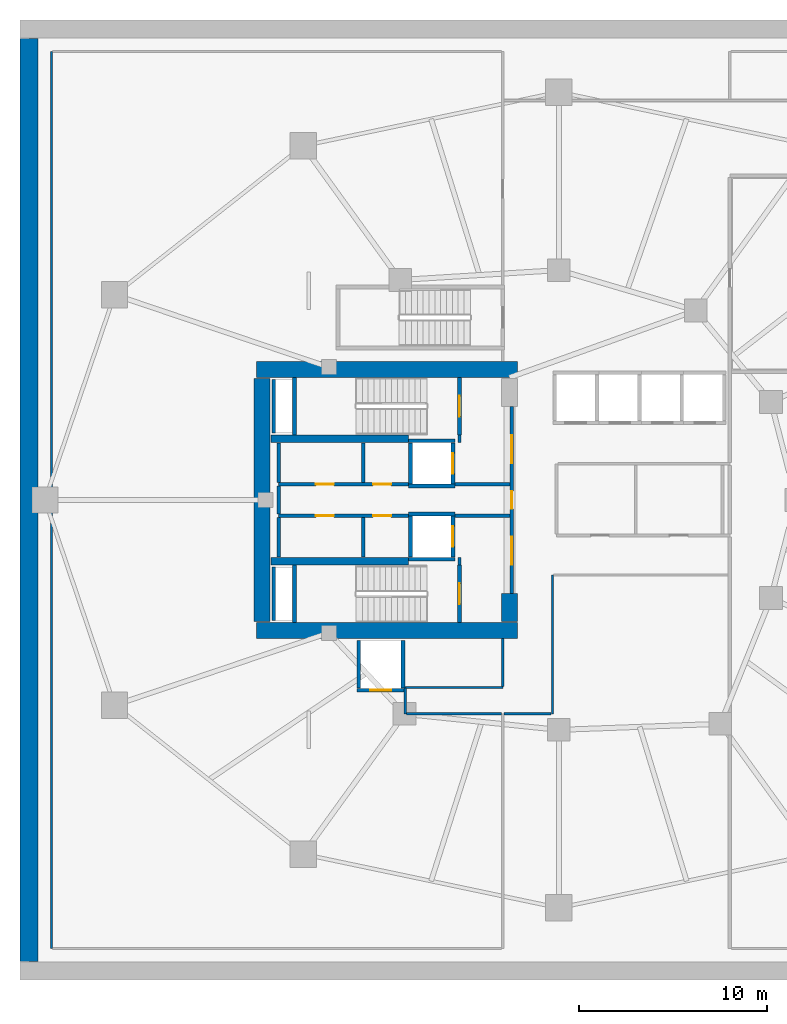
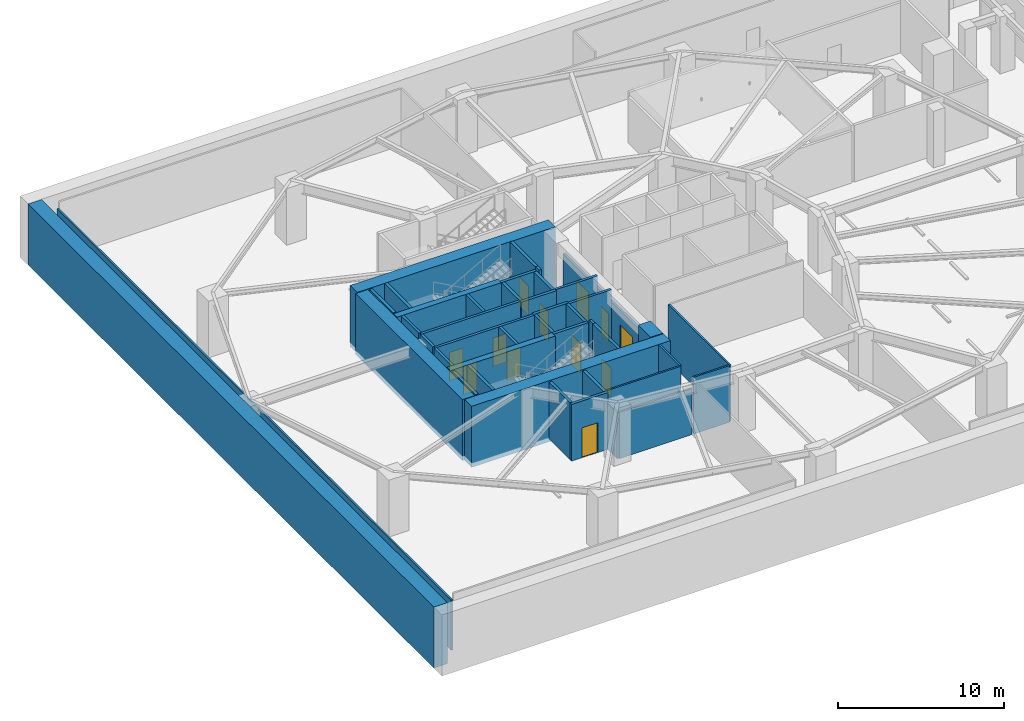
# One storey, part 4 of 16: 43 walls, 12 doors, 12 openings.
"""IFC4 building model written with IfcOpenShell, lengths in metres."""

from ifc_helpers import new_model, si_unit, direction, frame, frame_2d, origin, place, context, subcontext, project, spatial, rectangle, extrude, material, layer, layer_set, type_object, element, fill, save


model = new_model("IFC4")

# Units and contexts
model_context = context("Model", 3, precision=1e-05, world=origin(), true_north=direction((0.0, 1.0)))
body_context = subcontext(model_context, "Body", "Model", "MODEL_VIEW")
ifc_project = project(units=[si_unit("LENGTHUNIT", "METRE"), si_unit("AREAUNIT", "SQUARE_METRE"), si_unit("VOLUMEUNIT", "CUBIC_METRE"), si_unit("PLANEANGLEUNIT", "RADIAN"), si_unit("MASSUNIT", "GRAM", prefix="KILO")], contexts=[model_context])

# Site, building, storey
site_placement = place(None, origin())
site = spatial("IfcSite", under=ifc_project, at=site_placement, CompositionType="ELEMENT")
building_placement = place(site_placement, origin())
building = spatial("IfcBuilding", under=site, at=building_placement, Name="Kolvaren Gate Tower and Convention Centre", CompositionType="ELEMENT")
storey_placement = place(building_placement, frame((0.0, 0.0, -9.0)))
storey = spatial("IfcBuildingStorey", under=building, at=storey_placement, Name="B2", CompositionType="ELEMENT", Elevation=-9.0)

# Walls
ifc_material_1 = material(Name="Autoclaved Aerated Masonry Blockwork Class 4 (4.0 MPa)", Category="masonry")
ifc_layer_1 = layer(ifc_material_1, 0.179931640625)
ifc_layer_set_1 = layer_set([ifc_layer_1], Name="Autoclaved Aerated Masonry Blockwork Class 4 (4.0 MPa)")
wall_type_1 = type_object("IfcWallType", Name="ARCH-WL-COMP-180", PredefinedType="SOLIDWALL", material=ifc_layer_set_1)
for number, where, z_axis, x_axis, name in (
    (1, (24.85009765625, 23.5400390625, 0.0), (0.0, 0.0, 1.0), (0.0, 1.0, 0.0), "Interior Partition WL-B2-INT-001"),
    (2, (24.85009765625, 30.0400390625, 0.0), (0.0, 0.0, 1.0), (0.0, 1.0, 0.0), "Interior Partition WL-B2-INT-002"),
):
    element("IfcWall", number, at=place(storey_placement, frame(where, z_axis=z_axis, x_axis=x_axis)), inside=storey, type_object=wall_type_1, Name=name, PredefinedType="SOLIDWALL", context=body_context, shape_type="SweptSolid", body=[
        extrude(rectangle(XDim=0.419921875, YDim=0.179931640625, at=frame_2d((0.2099609375, 0.0))), origin(), (0.0, 0.0, 1.0), 4.179931640625),
    ])

# Wall, openings, doors
wall_1_placement = place(storey_placement, frame((27.6201171875, 22.050048828125, 0.0), z_axis=(0.0, 0.0, 1.0), x_axis=(0.0, 1.0, 0.0)))
wall_1 = element("IfcWall", 3, at=wall_1_placement, inside=storey, type_object=wall_type_1, Name="Interior Partition WL-B2-INT-003", PredefinedType="SOLIDWALL", context=body_context, shape_type="SweptSolid", body=[
    extrude(rectangle(XDim=9.89990234375, YDim=0.179931640625, at=frame_2d((4.949951171875, 0.0))), origin(), (0.0, 0.0, 1.0), 3.27197265625),
])
opening_1_placement = place(wall_1_placement, frame((4.47509765625, 0.0, 0.0)))
opening_1 = element("IfcOpeningElement", 4, at=opening_1_placement, cuts=wall_1, Name="Opening DR-01", PredefinedType="OPENING", context=body_context, shape_type="SweptSolid", body=[
    extrude(rectangle(XDim=0.949951171875, YDim=2.10009765625, at=frame_2d((0.47509765625, 1.050048828125))), frame((0.0, 0.099853515625, 0.0), z_axis=(0.0, -1.0, 0.0), x_axis=(1.0, 0.0, 0.0)), (0.0, 0.0, 1.0), 0.199951171875),
])
opening_2_placement = place(wall_1_placement, frame((6.889892578125, 0.0, 0.0)))
opening_2 = element("IfcOpeningElement", 5, at=opening_2_placement, cuts=wall_1, Name="Opening DL-01", PredefinedType="OPENING", context=body_context, shape_type="SweptSolid", body=[
    extrude(rectangle(XDim=1.5, YDim=2.199951171875, at=frame_2d((0.75, 1.10009765625))), frame((0.0, 0.099853515625, 0.0), z_axis=(0.0, -1.0, 0.0), x_axis=(1.0, 0.0, 0.0)), (0.0, 0.0, 1.0), 0.199951171875),
])
opening_3_placement = place(wall_1_placement, frame((1.510009765625, 0.0, 0.0)))
opening_3 = element("IfcOpeningElement", 6, at=opening_3_placement, cuts=wall_1, Name="Opening DL-01", PredefinedType="OPENING", context=body_context, shape_type="SweptSolid", body=[
    extrude(rectangle(XDim=1.5, YDim=2.199951171875, at=frame_2d((0.75, 1.10009765625))), frame((0.0, 0.099853515625, 0.0), z_axis=(0.0, -1.0, 0.0), x_axis=(1.0, 0.0, 0.0)), (0.0, 0.0, 1.0), 0.199951171875),
])
ifc_material_2 = material(Name="Painted Architectural Steelwork ASTM A500 Grade C 345 MPa", Category="steel")
door_type_1 = type_object("IfcDoorType", Name="ARCH-DR-LOBBY-1500", OperationType="DOUBLE_DOOR_SINGLE_SWING", PredefinedType="DOOR", material=ifc_material_2)
door_1_placement = place(opening_2_placement, origin())
door_1 = element("IfcDoor", 7, at=door_1_placement, inside=storey, type_object=door_type_1, Name="North Firefighting Stair and Lift Lobby Door", OperationType="DOUBLE_DOOR_SINGLE_SWING", OverallHeight=2.199951171875, OverallWidth=1.5, PredefinedType="DOOR", context=body_context, shape_type="SweptSolid", body=[
    extrude(rectangle(XDim=1.5, YDim=2.199951171875, at=frame_2d((0.75, 1.10009765625))), frame((0.0, 0.02490234375, 0.0), z_axis=(0.0, -1.0, 0.0), x_axis=(1.0, 0.0, 0.0)), (0.0, 0.0, 1.0), 0.050048828125),
])
fill(opening_2, door_1)
door_2_placement = place(opening_3_placement, origin())
door_2 = element("IfcDoor", 8, at=door_2_placement, inside=storey, type_object=door_type_1, Name="South Firefighting Stair and Lift Lobby Door", OperationType="DOUBLE_DOOR_SINGLE_SWING", OverallHeight=2.199951171875, OverallWidth=1.5, PredefinedType="DOOR", context=body_context, shape_type="SweptSolid", body=[
    extrude(rectangle(XDim=1.5, YDim=2.199951171875, at=frame_2d((0.75, 1.10009765625))), frame((0.0, 0.02490234375, 0.0), z_axis=(0.0, -1.0, 0.0), x_axis=(1.0, 0.0, 0.0)), (0.0, 0.0, 1.0), 0.050048828125),
])
fill(opening_3, door_2)
door_type_2 = type_object("IfcDoorType", Name="ARCH-DR-RISER-950", OperationType="SINGLE_SWING_RIGHT", PredefinedType="DOOR", material=ifc_material_2)
door_3_placement = place(opening_1_placement, origin())
door_3 = element("IfcDoor", 9, at=door_3_placement, inside=storey, type_object=door_type_2, Name="Central MEP Service Corridor Door", OperationType="SINGLE_SWING_LEFT", OverallHeight=2.10009765625, OverallWidth=0.949951171875, PredefinedType="DOOR", context=body_context, shape_type="SweptSolid", body=[
    extrude(rectangle(XDim=0.949951171875, YDim=2.10009765625, at=frame_2d((0.47509765625, 1.050048828125))), frame((0.0, 0.02490234375, 0.0), z_axis=(0.0, -1.0, 0.0), x_axis=(1.0, 0.0, 0.0)), (0.0, 0.0, 1.0), 0.050048828125),
])
fill(opening_1, door_3)

wall_2_placement = place(storey_placement, frame((15.25, 27.840087890625, 0.0), z_axis=(0.0, 0.0, 1.0), x_axis=(1.0, 0.0, 0.0)))
wall_2 = element("IfcWall", 10, at=wall_2_placement, inside=storey, type_object=wall_type_1, Name="Interior Partition WL-B2-INT-004", PredefinedType="SOLIDWALL", context=body_context, shape_type="SweptSolid", body=[
    extrude(rectangle(XDim=6.89990234375, YDim=0.179931640625, at=frame_2d((3.449951171875, 0.0))), origin(), (0.0, 0.0, 1.0), 4.179931640625),
])
opening_4_placement = place(wall_2_placement, frame((5.02001953125, 0.0, 0.0)))
opening_4 = element("IfcOpeningElement", 11, at=opening_4_placement, cuts=wall_2, Name="Opening DR-01", PredefinedType="OPENING", context=body_context, shape_type="SweptSolid", body=[
    extrude(rectangle(XDim=0.949951171875, YDim=2.10009765625, at=frame_2d((0.47509765625, 1.050048828125))), frame((0.0, 0.099853515625, 0.0), z_axis=(0.0, -1.0, 0.0), x_axis=(1.0, 0.0, 0.0)), (0.0, 0.0, 1.0), 0.199951171875),
])
opening_5_placement = place(wall_2_placement, frame((1.97998046875, 0.0, 0.0)))
opening_5 = element("IfcOpeningElement", 12, at=opening_5_placement, cuts=wall_2, Name="Opening DR-01", PredefinedType="OPENING", context=body_context, shape_type="SweptSolid", body=[
    extrude(rectangle(XDim=0.949951171875, YDim=2.10009765625, at=frame_2d((0.47509765625, 1.050048828125))), frame((0.0, 0.099853515625, 0.0), z_axis=(0.0, -1.0, 0.0), x_axis=(1.0, 0.0, 0.0)), (0.0, 0.0, 1.0), 0.199951171875),
])
door_4_placement = place(opening_4_placement, origin())
door_4 = element("IfcDoor", 13, at=door_4_placement, inside=storey, type_object=door_type_2, Name="Electrical Switchgear Closet Door", OperationType="SINGLE_SWING_RIGHT", OverallHeight=2.10009765625, OverallWidth=0.949951171875, PredefinedType="DOOR", context=body_context, shape_type="SweptSolid", body=[
    extrude(rectangle(XDim=0.949951171875, YDim=2.10009765625, at=frame_2d((0.47509765625, 1.050048828125))), frame((0.0, 0.02490234375, 0.0), z_axis=(0.0, -1.0, 0.0), x_axis=(1.0, 0.0, 0.0)), (0.0, 0.0, 1.0), 0.050048828125),
])
fill(opening_4, door_4)
door_5_placement = place(opening_5_placement, origin())
door_5 = element("IfcDoor", 14, at=door_5_placement, inside=storey, type_object=door_type_2, Name="Telecom Distribution Closet Door", OperationType="SINGLE_SWING_RIGHT", OverallHeight=2.10009765625, OverallWidth=0.949951171875, PredefinedType="DOOR", context=body_context, shape_type="SweptSolid", body=[
    extrude(rectangle(XDim=0.949951171875, YDim=2.10009765625, at=frame_2d((0.47509765625, 1.050048828125))), frame((0.0, 0.02490234375, 0.0), z_axis=(0.0, -1.0, 0.0), x_axis=(1.0, 0.0, 0.0)), (0.0, 0.0, 1.0), 0.050048828125),
])
fill(opening_5, door_5)

# Wall
wall_3_placement = place(storey_placement, frame((24.60009765625, 27.840087890625, 0.0), z_axis=(0.0, 0.0, 1.0), x_axis=(1.0, 0.0, 0.0)))
element("IfcWall", 15, at=wall_3_placement, inside=storey, type_object=wall_type_1, Name="Interior Partition WL-B2-INT-004 (2)", PredefinedType="SOLIDWALL", context=body_context, shape_type="SweptSolid", body=[
    extrude(rectangle(XDim=2.927978515625, YDim=0.179931640625, at=frame_2d((1.4638671875, 0.0))), origin(), (0.0, 0.0, 1.0), 4.179931640625),
])

# Wall, openings, doors
wall_4_placement = place(storey_placement, frame((15.25, 26.159912109375, 0.0), z_axis=(0.0, 0.0, 1.0), x_axis=(1.0, 0.0, 0.0)))
wall_4 = element("IfcWall", 16, at=wall_4_placement, inside=storey, type_object=wall_type_1, Name="Interior Partition WL-B2-INT-005", PredefinedType="SOLIDWALL", context=body_context, shape_type="SweptSolid", body=[
    extrude(rectangle(XDim=6.89990234375, YDim=0.179931640625, at=frame_2d((3.449951171875, 0.0))), origin(), (0.0, 0.0, 1.0), 4.179931640625),
])
opening_6_placement = place(wall_4_placement, frame((5.02001953125, 0.0, 0.0)))
opening_6 = element("IfcOpeningElement", 17, at=opening_6_placement, cuts=wall_4, Name="Opening DR-01", PredefinedType="OPENING", context=body_context, shape_type="SweptSolid", body=[
    extrude(rectangle(XDim=0.949951171875, YDim=2.10009765625, at=frame_2d((0.47509765625, 1.050048828125))), frame((0.0, 0.099853515625, 0.0), z_axis=(0.0, -1.0, 0.0), x_axis=(1.0, 0.0, 0.0)), (0.0, 0.0, 1.0), 0.199951171875),
])
opening_7_placement = place(wall_4_placement, frame((1.97998046875, 0.0, 0.0)))
opening_7 = element("IfcOpeningElement", 18, at=opening_7_placement, cuts=wall_4, Name="Opening DR-01", PredefinedType="OPENING", context=body_context, shape_type="SweptSolid", body=[
    extrude(rectangle(XDim=0.949951171875, YDim=2.10009765625, at=frame_2d((0.47509765625, 1.050048828125))), frame((0.0, 0.099853515625, 0.0), z_axis=(0.0, -1.0, 0.0), x_axis=(1.0, 0.0, 0.0)), (0.0, 0.0, 1.0), 0.199951171875),
])
door_6_placement = place(opening_6_placement, origin())
door_6 = element("IfcDoor", 19, at=door_6_placement, inside=storey, type_object=door_type_2, Name="Domestic Water Meter Closet Door", OperationType="SINGLE_SWING_LEFT", OverallHeight=2.10009765625, OverallWidth=0.949951171875, PredefinedType="DOOR", context=body_context, shape_type="SweptSolid", body=[
    extrude(rectangle(XDim=0.949951171875, YDim=2.10009765625, at=frame_2d((0.47509765625, 1.050048828125))), frame((0.0, 0.02490234375, 0.0), z_axis=(0.0, -1.0, 0.0), x_axis=(1.0, 0.0, 0.0)), (0.0, 0.0, 1.0), 0.050048828125),
])
fill(opening_6, door_6)
door_7_placement = place(opening_7_placement, origin())
door_7 = element("IfcDoor", 20, at=door_7_placement, inside=storey, type_object=door_type_2, Name="Smoke Damper Control Closet Door", OperationType="SINGLE_SWING_LEFT", OverallHeight=2.10009765625, OverallWidth=0.949951171875, PredefinedType="DOOR", context=body_context, shape_type="SweptSolid", body=[
    extrude(rectangle(XDim=0.949951171875, YDim=2.10009765625, at=frame_2d((0.47509765625, 1.050048828125))), frame((0.0, 0.02490234375, 0.0), z_axis=(0.0, -1.0, 0.0), x_axis=(1.0, 0.0, 0.0)), (0.0, 0.0, 1.0), 0.050048828125),
])
fill(opening_7, door_7)

# Walls
wall_5_placement = place(storey_placement, frame((24.60009765625, 26.159912109375, 0.0), z_axis=(0.0, 0.0, 1.0), x_axis=(1.0, 0.0, 0.0)))
element("IfcWall", 21, at=wall_5_placement, inside=storey, type_object=wall_type_1, Name="Interior Partition WL-B2-INT-005 (2)", PredefinedType="SOLIDWALL", context=body_context, shape_type="SweptSolid", body=[
    extrude(rectangle(XDim=2.927978515625, YDim=0.179931640625, at=frame_2d((1.4638671875, 0.0))), origin(), (0.0, 0.0, 1.0), 4.179931640625),
])
wall_6_placement = place(storey_placement, frame((15.25, 23.9619140625, 0.0), z_axis=(0.0, 0.0, 1.0), x_axis=(0.0, 1.0, 0.0)))
element("IfcWall", 22, at=wall_6_placement, inside=storey, type_object=wall_type_1, Name="Interior Partition WL-B2-INT-006", PredefinedType="SOLIDWALL", context=body_context, shape_type="SweptSolid", body=[
    extrude(rectangle(XDim=2.106201171875, YDim=0.179931640625, at=frame_2d((1.05322265625, 0.0))), origin(), (0.0, 0.0, 1.0), 4.179931640625),
])
wall_7_placement = place(storey_placement, frame((15.25, 26.251953125, 0.0), z_axis=(0.0, 0.0, 1.0), x_axis=(0.0, 1.0, 0.0)))
element("IfcWall", 23, at=wall_7_placement, inside=storey, type_object=wall_type_1, Name="Interior Partition WL-B2-INT-006 (2)", PredefinedType="SOLIDWALL", context=body_context, shape_type="SweptSolid", body=[
    extrude(rectangle(XDim=1.49609375, YDim=0.179931640625, at=frame_2d((0.748046875, 0.0))), origin(), (0.0, 0.0, 1.0), 4.179931640625),
])
for number, where, z_axis, x_axis, name in (
    (24, (15.25, 27.931884765625, 0.0), (0.0, 0.0, 1.0), (0.0, 1.0, 0.0), "Interior Partition WL-B2-INT-006 (3)"),
    (25, (19.75, 23.9619140625, 0.0), (0.0, 0.0, 1.0), (0.0, 1.0, 0.0), "Interior Partition WL-B2-INT-007"),
    (26, (19.75, 27.931884765625, 0.0), (0.0, 0.0, 1.0), (0.0, 1.0, 0.0), "Interior Partition WL-B2-INT-008"),
):
    element("IfcWall", number, at=place(storey_placement, frame(where, z_axis=z_axis, x_axis=x_axis)), inside=storey, type_object=wall_type_1, Name=name, PredefinedType="SOLIDWALL", context=body_context, shape_type="SweptSolid", body=[
        extrude(rectangle(XDim=2.106201171875, YDim=0.179931640625, at=frame_2d((1.05322265625, 0.0))), origin(), (0.0, 0.0, 1.0), 4.179931640625),
    ])
ifc_material_3 = material(Name="Fire-Rated Acoustic Gypsum Stud Partition", Category="gypsum")
ifc_layer_2 = layer(ifc_material_3, 0.1201171875)
ifc_layer_set_2 = layer_set([ifc_layer_2], Name="Fire-Rated Acoustic Gypsum Stud Partition")
wall_type_2 = type_object("IfcWallType", Name="ARCH-WL-PART-120", PredefinedType="PARTITIONING", material=ifc_layer_set_2)
wall_8_placement = place(storey_placement, frame((21.969970703125, 15.64990234375, 0.0), z_axis=(0.0, 0.0, 1.0), x_axis=(0.0, 1.0, 0.0)))
element("IfcWall", 27, at=wall_8_placement, inside=storey, type_object=wall_type_2, Name="Interior Partition WL-B2-INT-014", PredefinedType="PARTITIONING", context=body_context, shape_type="SweptSolid", body=[
    extrude(rectangle(XDim=1.360107421875, YDim=0.1201171875, at=frame_2d((0.68017578125, 0.0))), origin(), (0.0, 0.0, 1.0), 3.4140625),
])
wall_9_placement = place(storey_placement, frame((21.969970703125, 17.050048828125, 0.0), z_axis=(0.0, 0.0, 1.0), x_axis=(1.0, 0.0, 0.0)))
element("IfcWall", 28, at=wall_9_placement, inside=storey, type_object=wall_type_2, Name="Interior Partition WL-B2-INT-015", PredefinedType="PARTITIONING", context=body_context, shape_type="SweptSolid", body=[
    extrude(rectangle(XDim=5.179931640625, YDim=0.1201171875, at=frame_2d((2.58984375, 0.0))), origin(), (0.0, 0.0, 1.0), 4.179931640625),
])
wall_10_placement = place(storey_placement, frame((27.14990234375, 17.112060546875, 0.0), z_axis=(0.0, 0.0, 1.0), x_axis=(0.0, 1.0, 0.0)))
element("IfcWall", 29, at=wall_10_placement, inside=storey, type_object=wall_type_2, Name="Interior Partition WL-B2-INT-017", PredefinedType="PARTITIONING", context=body_context, shape_type="SweptSolid", body=[
    extrude(rectangle(XDim=2.535888671875, YDim=0.1201171875, at=frame_2d((1.26806640625, 0.0))), origin(), (0.0, 0.0, 1.0), 4.179931640625),
])
wall_11_placement = place(storey_placement, frame((29.780029296875, 15.64990234375, 0.0), z_axis=(0.0, 0.0, 1.0), x_axis=(0.0, 1.0, 0.0)))
element("IfcWall", 30, at=wall_11_placement, inside=storey, type_object=wall_type_2, Name="Interior Partition WL-B2-INT-025", PredefinedType="PARTITIONING", context=body_context, shape_type="SweptSolid", body=[
    extrude(rectangle(XDim=7.3701171875, YDim=0.1201171875, at=frame_2d((3.68505859375, 0.0))), origin(), (0.0, 0.0, 1.0), 4.179931640625),
])
wall_12_placement = place(storey_placement, frame((22.031982421875, 15.64990234375, 0.0), z_axis=(0.0, 0.0, 1.0), x_axis=(1.0, 0.0, 0.0)))
element("IfcWall", 31, at=wall_12_placement, inside=storey, type_object=wall_type_2, Name="Interior Partition WL-B2-INT-027", PredefinedType="PARTITIONING", context=body_context, shape_type="SweptSolid", body=[
    extrude(rectangle(XDim=5.055908203125, YDim=0.1201171875, at=frame_2d((2.52783203125, 0.0))), origin(), (0.0, 0.0, 1.0), 3.4140625),
])
wall_13_placement = place(storey_placement, frame((27.2119140625, 15.64990234375, 0.0), z_axis=(0.0, 0.0, 1.0), x_axis=(1.0, 0.0, 0.0)))
element("IfcWall", 32, at=wall_13_placement, inside=storey, type_object=wall_type_2, Name="Interior Partition WL-B2-INT-027 (2)", PredefinedType="PARTITIONING", context=body_context, shape_type="SweptSolid", body=[
    extrude(rectangle(XDim=2.506103515625, YDim=0.1201171875, at=frame_2d((1.2529296875, 0.0))), origin(), (0.0, 0.0, 1.0), 4.179931640625),
])
wall_14_placement = place(storey_placement, frame((3.199951171875, 3.199951171875, 0.0), z_axis=(0.0, 0.0, 1.0), x_axis=(0.0, 1.0, 0.0)))
element("IfcWall", 33, at=wall_14_placement, inside=storey, type_object=wall_type_2, Name="Interior Partition WL-B2-INT-028", PredefinedType="PARTITIONING", context=body_context, shape_type="SweptSolid", body=[
    extrude(rectangle(XDim=47.60009765625, YDim=0.1201171875, at=frame_2d((23.800048828125, 0.0))), origin(), (0.0, 0.0, 1.0), 3.702880859375),
])
ifc_layer_3 = layer(ifc_material_1, 0.199951171875)
ifc_layer_set_3 = layer_set([ifc_layer_3], Name="Autoclaved Aerated Masonry Blockwork Class 4 (4.0 MPa)")
wall_type_3 = type_object("IfcWallType", Name="ARCH-WL-SHAFT-200", PredefinedType="SOLIDWALL", material=ifc_layer_set_3)
for number, where, z_axis, x_axis, name in (
    (34, (22.14990234375, 30.139892578125, 0.0), (0.0, 0.0, 1.0), (1.0, 0.0, 0.0), "Elevator FF-01 B2 Fire Shaft Wall N"),
    (35, (22.14990234375, 27.739990234375, 0.0), (0.0, 0.0, 1.0), (1.0, 0.0, 0.0), "Elevator FF-01 B2 Fire Shaft Wall S"),
):
    element("IfcWall", number, at=place(storey_placement, frame(where, z_axis=z_axis, x_axis=x_axis)), inside=storey, type_object=wall_type_3, Name=name, PredefinedType="SOLIDWALL", context=body_context, shape_type="SweptSolid", body=[
        extrude(rectangle(XDim=2.4501953125, YDim=0.199951171875, at=frame_2d((1.22509765625, 0.0))), origin(), (0.0, 0.0, 1.0), 4.179931640625),
    ])
wall_15_placement = place(storey_placement, frame((22.25, 27.85009765625, 0.0), z_axis=(0.0, 0.0, 1.0), x_axis=(0.0, 1.0, 0.0)))
element("IfcWall", 36, at=wall_15_placement, inside=storey, type_object=wall_type_3, Name="Elevator FF-01 B2 Fire Shaft Wall W", PredefinedType="SOLIDWALL", context=body_context, shape_type="SweptSolid", body=[
    extrude(rectangle(XDim=2.179931640625, YDim=0.199951171875, at=frame_2d((1.08984375, 0.0))), origin(), (0.0, 0.0, 1.0), 4.179931640625),
])

# Wall, opening, door
wall_16_placement = place(storey_placement, frame((24.5, 27.85009765625, 0.0), z_axis=(0.0, 0.0, 1.0), x_axis=(0.0, 1.0, 0.0)))
wall_16 = element("IfcWall", 37, at=wall_16_placement, inside=storey, type_object=wall_type_3, Name="Elevator FF-01 B2 Fire Shaft Wall E", PredefinedType="SOLIDWALL", context=body_context, shape_type="SweptSolid", body=[
    extrude(rectangle(XDim=2.179931640625, YDim=0.199951171875, at=frame_2d((1.08984375, 0.0))), origin(), (0.0, 0.0, 1.0), 4.179931640625),
])
opening_8_placement = place(wall_16_placement, frame((0.5400390625, 0.0, 0.0)))
opening_8 = element("IfcOpeningElement", 38, at=opening_8_placement, cuts=wall_16, Name="Opening LD", PredefinedType="OPENING", context=body_context, shape_type="SweptSolid", body=[
    extrude(rectangle(XDim=1.10009765625, YDim=2.199951171875, at=frame_2d((0.550048828125, 1.10009765625))), frame((0.0, 0.10986328125, 0.0), z_axis=(0.0, -1.0, 0.0), x_axis=(1.0, 0.0, 0.0)), (0.0, 0.0, 1.0), 0.219970703125),
])
ifc_material_4 = material(Name="Brushed Stainless Steel Grade 316L", Category="steel")
door_type_3 = type_object("IfcDoorType", Name="ARCH-DR-LIFT-1100", OperationType="SLIDING_TO_LEFT", PredefinedType="DOOR", material=ifc_material_4)
door_8_placement = place(opening_8_placement, origin())
door_8 = element("IfcDoor", 39, at=door_8_placement, inside=storey, type_object=door_type_3, Name="Elevator FF-01 B2 Sliding Landing Door", OperationType="SLIDING_TO_LEFT", OverallHeight=2.199951171875, OverallWidth=1.10009765625, PredefinedType="DOOR", context=body_context, shape_type="SweptSolid", body=[
    extrude(rectangle(XDim=1.10009765625, YDim=2.199951171875, at=frame_2d((0.550048828125, 1.10009765625))), frame((0.0, 0.02490234375, 0.0), z_axis=(0.0, -1.0, 0.0), x_axis=(1.0, 0.0, 0.0)), (0.0, 0.0, 1.0), 0.050048828125),
])
fill(opening_8, door_8)

# Walls
for number, where, z_axis, x_axis, name in (
    (40, (22.14990234375, 26.260009765625, 0.0), (0.0, 0.0, 1.0), (1.0, 0.0, 0.0), "Elevator FF-02 B2 Fire Shaft Wall N"),
    (41, (22.14990234375, 23.860107421875, 0.0), (0.0, 0.0, 1.0), (1.0, 0.0, 0.0), "Elevator FF-02 B2 Fire Shaft Wall S"),
):
    element("IfcWall", number, at=place(storey_placement, frame(where, z_axis=z_axis, x_axis=x_axis)), inside=storey, type_object=wall_type_3, Name=name, PredefinedType="SOLIDWALL", context=body_context, shape_type="SweptSolid", body=[
        extrude(rectangle(XDim=2.4501953125, YDim=0.199951171875, at=frame_2d((1.22509765625, 0.0))), origin(), (0.0, 0.0, 1.0), 4.179931640625),
    ])
wall_17_placement = place(storey_placement, frame((22.25, 23.969970703125, 0.0), z_axis=(0.0, 0.0, 1.0), x_axis=(0.0, 1.0, 0.0)))
element("IfcWall", 42, at=wall_17_placement, inside=storey, type_object=wall_type_3, Name="Elevator FF-02 B2 Fire Shaft Wall W", PredefinedType="SOLIDWALL", context=body_context, shape_type="SweptSolid", body=[
    extrude(rectangle(XDim=2.179931640625, YDim=0.199951171875, at=frame_2d((1.08984375, 0.0))), origin(), (0.0, 0.0, 1.0), 4.179931640625),
])

# Wall, opening, door
wall_18_placement = place(storey_placement, frame((24.5, 23.969970703125, 0.0), z_axis=(0.0, 0.0, 1.0), x_axis=(0.0, 1.0, 0.0)))
wall_18 = element("IfcWall", 43, at=wall_18_placement, inside=storey, type_object=wall_type_3, Name="Elevator FF-02 B2 Fire Shaft Wall E", PredefinedType="SOLIDWALL", context=body_context, shape_type="SweptSolid", body=[
    extrude(rectangle(XDim=2.179931640625, YDim=0.199951171875, at=frame_2d((1.08984375, 0.0))), origin(), (0.0, 0.0, 1.0), 4.179931640625),
])
opening_9_placement = place(wall_18_placement, frame((0.5400390625, 0.0, 0.0)))
opening_9 = element("IfcOpeningElement", 44, at=opening_9_placement, cuts=wall_18, Name="Opening LD", PredefinedType="OPENING", context=body_context, shape_type="SweptSolid", body=[
    extrude(rectangle(XDim=1.10009765625, YDim=2.199951171875, at=frame_2d((0.550048828125, 1.10009765625))), frame((0.0, 0.10986328125, 0.0), z_axis=(0.0, -1.0, 0.0), x_axis=(1.0, 0.0, 0.0)), (0.0, 0.0, 1.0), 0.219970703125),
])
door_9_placement = place(opening_9_placement, origin())
door_9 = element("IfcDoor", 45, at=door_9_placement, inside=storey, type_object=door_type_3, Name="Elevator FF-02 B2 Sliding Landing Door", OperationType="SLIDING_TO_LEFT", OverallHeight=2.199951171875, OverallWidth=1.10009765625, PredefinedType="DOOR", context=body_context, shape_type="SweptSolid", body=[
    extrude(rectangle(XDim=1.10009765625, YDim=2.199951171875, at=frame_2d((0.550048828125, 1.10009765625))), frame((0.0, 0.02490234375, 0.0), z_axis=(0.0, -1.0, 0.0), x_axis=(1.0, 0.0, 0.0)), (0.0, 0.0, 1.0), 0.050048828125),
])
fill(opening_9, door_9)

wall_19_placement = place(storey_placement, frame((19.39990234375, 16.89990234375, 0.0), z_axis=(0.0, 0.0, 1.0), x_axis=(1.0, 0.0, 0.0)))
wall_19 = element("IfcWall", 46, at=wall_19_placement, inside=storey, type_object=wall_type_3, Name="Elevator SV-01 B2 Fire Shaft Wall S", PredefinedType="SOLIDWALL", context=body_context, shape_type="SweptSolid", body=[
    extrude(rectangle(XDim=2.550048828125, YDim=0.199951171875, at=frame_2d((1.27490234375, 0.0))), origin(), (0.0, 0.0, 1.0), 4.179931640625),
])
opening_10_placement = place(wall_19_placement, frame((0.72509765625, 0.0, 0.0)))
opening_10 = element("IfcOpeningElement", 47, at=opening_10_placement, cuts=wall_19, Name="Opening LD", PredefinedType="OPENING", context=body_context, shape_type="SweptSolid", body=[
    extrude(rectangle(XDim=1.10009765625, YDim=2.199951171875, at=frame_2d((0.550048828125, 1.10009765625))), frame((0.0, 0.10986328125, 0.0), z_axis=(0.0, -1.0, 0.0), x_axis=(1.0, 0.0, 0.0)), (0.0, 0.0, 1.0), 0.219970703125),
])
door_10_placement = place(opening_10_placement, origin())
door_10 = element("IfcDoor", 48, at=door_10_placement, inside=storey, type_object=door_type_3, Name="Elevator SV-01 B2 Sliding Landing Door", OperationType="SLIDING_TO_LEFT", OverallHeight=2.199951171875, OverallWidth=1.10009765625, PredefinedType="DOOR", context=body_context, shape_type="SweptSolid", body=[
    extrude(rectangle(XDim=1.10009765625, YDim=2.199951171875, at=frame_2d((0.550048828125, 1.10009765625))), frame((0.0, 0.02490234375, 0.0), z_axis=(0.0, -1.0, 0.0), x_axis=(1.0, 0.0, 0.0)), (0.0, 0.0, 1.0), 0.050048828125),
])
fill(opening_10, door_10)

# Walls
for number, where, z_axis, x_axis, name in (
    (49, (19.5, 17.010009765625, 0.0), (0.0, 0.0, 1.0), (0.0, 1.0, 0.0), "Elevator SV-01 B2 Fire Shaft Wall W"),
    (50, (21.85009765625, 17.010009765625, 0.0), (0.0, 0.0, 1.0), (0.0, 1.0, 0.0), "Elevator SV-01 B2 Fire Shaft Wall E"),
):
    element("IfcWall", number, at=place(storey_placement, frame(where, z_axis=z_axis, x_axis=x_axis)), inside=storey, type_object=wall_type_3, Name=name, PredefinedType="SOLIDWALL", context=body_context, shape_type="SweptSolid", body=[
        extrude(rectangle(XDim=2.530029296875, YDim=0.199951171875, at=frame_2d((1.26513671875, 0.0))), origin(), (0.0, 0.0, 1.0), 4.179931640625),
    ])
for number, where, z_axis, x_axis, name in (
    (51, (14.989990234375, 30.550048828125, 0.0), (0.0, 0.0, 1.0), (0.0, 1.0, 0.0), "Vertical Shaft HVR B2 EI-120 Enclosure Wall W"),
    (52, (14.989990234375, 20.60009765625, 0.0), (0.0, 0.0, 1.0), (0.0, 1.0, 0.0), "Vertical Shaft MPR B2 EI-120 Enclosure Wall W"),
):
    element("IfcWall", number, at=place(storey_placement, frame(where, z_axis=z_axis, x_axis=x_axis)), inside=storey, type_object=wall_type_3, Name=name, PredefinedType="SOLIDWALL", context=body_context, shape_type="SweptSolid", body=[
        extrude(rectangle(XDim=2.849853515625, YDim=0.199951171875, at=frame_2d((1.4248046875, 0.0))), origin(), (0.0, 0.0, 1.0), 4.179931640625),
    ])
ifc_material_5 = material(Name="Concrete C50/60", Category="concrete")
ifc_layer_4 = layer(ifc_material_5, 0.419921875)
ifc_layer_set_4 = layer_set([ifc_layer_4], Name="Concrete C50/60")
wall_type_4 = type_object("IfcWallType", Name="STR-WL-CONV-420", PredefinedType="SHEAR", material=ifc_layer_set_4)
for number, where, z_axis, x_axis, name in (
    (53, (14.85009765625, 30.25, -0.320068359375), (0.0, 0.0, 1.0), (1.0, 0.0, 0.0), "Tower B2 Offset Core Shear Wall WN"),
    (54, (14.85009765625, 23.75, -0.320068359375), (0.0, 0.0, 1.0), (1.0, 0.0, 0.0), "Tower B2 Offset Core Shear Wall WS"),
):
    element("IfcWall", number, at=place(storey_placement, frame(where, z_axis=z_axis, x_axis=x_axis)), inside=storey, type_object=wall_type_4, Name=name, PredefinedType="SHEAR", context=body_context, shape_type="SweptSolid", body=[
        extrude(rectangle(XDim=7.2998046875, YDim=0.419921875, at=frame_2d((3.64990234375, 0.0))), origin(), (0.0, 0.0, 1.0), 4.5),
    ])
ifc_material_6 = material(Name="Concrete C70/85", Category="concrete")
ifc_layer_5 = layer(ifc_material_6, 0.85009765625)
ifc_layer_set_5 = layer_set([ifc_layer_5], Name="Concrete C70/85")
wall_type_5 = type_object("IfcWallType", Name="STR-WL-CORE-850", PredefinedType="SHEAR", material=ifc_layer_set_5)
for number, where, z_axis, x_axis, name in (
    (55, (14.074951171875, 33.925048828125, -0.320068359375), (0.0, 0.0, 1.0), (1.0, 0.0, 0.0), "Tower B2 Offset Core Shear Wall N"),
    (56, (14.074951171875, 20.074951171875, -0.320068359375), (0.0, 0.0, 1.0), (1.0, 0.0, 0.0), "Tower B2 Offset Core Shear Wall S"),
):
    element("IfcWall", number, at=place(storey_placement, frame(where, z_axis=z_axis, x_axis=x_axis)), inside=storey, type_object=wall_type_5, Name=name, PredefinedType="SHEAR", context=body_context, shape_type="SweptSolid", body=[
        extrude(rectangle(XDim=13.85009765625, YDim=0.85009765625, at=frame_2d((6.925048828125, 0.0))), origin(), (0.0, 0.0, 1.0), 4.5),
    ])
wall_20_placement = place(storey_placement, frame((14.375, 20.550048828125, -0.320068359375), z_axis=(0.0, 0.0, 1.0), x_axis=(0.0, 1.0, 0.0)))
element("IfcWall", 57, at=wall_20_placement, inside=storey, type_object=wall_type_5, Name="Tower B2 Offset Core Shear Wall W", PredefinedType="SHEAR", context=body_context, shape_type="SweptSolid", body=[
    extrude(rectangle(XDim=12.89990234375, YDim=0.85009765625, at=frame_2d((6.449951171875, 0.0))), origin(), (0.0, 0.0, 1.0), 4.5),
])
wall_21_placement = place(storey_placement, frame((27.5, 20.550048828125, -0.320068359375), z_axis=(0.0, 0.0, 1.0), x_axis=(0.0, 1.0, 0.0)))
element("IfcWall", 58, at=wall_21_placement, inside=storey, type_object=wall_type_5, Name="Tower B2 Offset Core Shear Wall ES", PredefinedType="SHEAR", context=body_context, shape_type="SweptSolid", body=[
    extrude(rectangle(XDim=1.5, YDim=0.85009765625, at=frame_2d((0.75, 0.0))), origin(), (0.0, 0.0, 1.0), 4.5),
])
ifc_layer_6 = layer(ifc_material_5, 0.949951171875)
ifc_layer_set_6 = layer_set([ifc_layer_6], Name="Concrete C50/60")
wall_type_6 = type_object("IfcWallType", Name="STR-WL-DIAPH-950", PredefinedType="USERDEFINED", material=ifc_layer_set_6)
wall_22_placement = place(storey_placement, frame((2.0, 2.4951171875, -0.320068359375), z_axis=(0.0, 0.0, 1.0), x_axis=(0.0, 1.0, 0.0)))
element("IfcWall", 59, at=wall_22_placement, inside=storey, type_object=wall_type_6, Name="Basement B2 W Perimeter Diaphragm Wall", ObjectType="RETAINING WALL", PredefinedType="USERDEFINED", context=body_context, shape_type="SweptSolid", body=[
    extrude(rectangle(XDim=49.009765625, YDim=0.949951171875, at=frame_2d((24.5048828125, 0.0))), origin(), (0.0, 0.0, 1.0), 4.5),
])

# Wall, opening, door
ifc_layer_7 = layer(ifc_material_5, 0.199951171875)
ifc_layer_set_7 = layer_set([ifc_layer_7], Name="Concrete C50/60")
wall_type_7 = type_object("IfcWallType", Name="STR-WL-SHAFT-200", PredefinedType="SHEAR", material=ifc_layer_set_7)
wall_23_placement = place(storey_placement, frame((24.85009765625, 30.4599609375, -0.320068359375), z_axis=(0.0, 0.0, 1.0), x_axis=(0.0, 1.0, 0.0)))
wall_23 = element("IfcWall", 60, at=wall_23_placement, inside=storey, type_object=wall_type_7, Name="Tower North Exit Stair ST-T1 B2 Structural Shear Enclosure Wall NEAR", PredefinedType="SHEAR", context=body_context, shape_type="SweptSolid", body=[
    extrude(rectangle(XDim=3.0380859375, YDim=0.199951171875, at=frame_2d((1.51904296875, 0.0))), origin(), (0.0, 0.0, 1.0), 4.5),
])
opening_11_placement = place(wall_23_placement, frame((0.968994140625, 0.0, 0.320068359375)))
opening_11 = element("IfcOpeningElement", 61, at=opening_11_placement, cuts=wall_23, Name="Opening DS-01", PredefinedType="OPENING", context=body_context, shape_type="SweptSolid", body=[
    extrude(rectangle(XDim=1.10009765625, YDim=2.14990234375, at=frame_2d((0.550048828125, 1.074951171875))), frame((0.0, 0.10986328125, 0.0), z_axis=(0.0, -1.0, 0.0), x_axis=(1.0, 0.0, 0.0)), (0.0, 0.0, 1.0), 0.219970703125),
])
door_type_4 = type_object("IfcDoorType", Name="ARCH-DR-STAIR-1100", OperationType="SINGLE_SWING_LEFT", PredefinedType="DOOR", material=ifc_material_2)
door_11_placement = place(opening_11_placement, origin())
door_11 = element("IfcDoor", 62, at=door_11_placement, inside=storey, type_object=door_type_4, Name="Tower North Exit Stair ST-T1 B2 Fire Exit Stair Door", OperationType="SINGLE_SWING_RIGHT", OverallHeight=2.14990234375, OverallWidth=1.10009765625, PredefinedType="DOOR", context=body_context, shape_type="SweptSolid", body=[
    extrude(rectangle(XDim=1.10009765625, YDim=2.14990234375, at=frame_2d((0.550048828125, 1.074951171875))), frame((0.0, 0.02490234375, 0.0), z_axis=(0.0, -1.0, 0.0), x_axis=(1.0, 0.0, 0.0)), (0.0, 0.0, 1.0), 0.050048828125),
])
fill(opening_11, door_11)

# Wall
wall_24_placement = place(storey_placement, frame((16.10009765625, 30.4619140625, -0.320068359375), z_axis=(0.0, 0.0, 1.0), x_axis=(0.0, 1.0, 0.0)))
element("IfcWall", 63, at=wall_24_placement, inside=storey, type_object=wall_type_7, Name="Tower North Exit Stair ST-T1 B2 Structural Shear Enclosure Wall FAR", PredefinedType="SHEAR", context=body_context, shape_type="SweptSolid", body=[
    extrude(rectangle(XDim=3.0361328125, YDim=0.199951171875, at=frame_2d((1.51806640625, 0.0))), origin(), (0.0, 0.0, 1.0), 4.5),
])

# Wall, opening, door
wall_25_placement = place(storey_placement, frame((24.85009765625, 20.501953125, -0.320068359375), z_axis=(0.0, 0.0, 1.0), x_axis=(0.0, 1.0, 0.0)))
wall_25 = element("IfcWall", 64, at=wall_25_placement, inside=storey, type_object=wall_type_7, Name="Tower South Exit Stair ST-T2 B2 Structural Shear Enclosure Wall NEAR", PredefinedType="SHEAR", context=body_context, shape_type="SweptSolid", body=[
    extrude(rectangle(XDim=3.0380859375, YDim=0.199951171875, at=frame_2d((1.51904296875, 0.0))), origin(), (0.0, 0.0, 1.0), 4.5),
])
opening_12_placement = place(wall_25_placement, frame((0.968994140625, 0.0, 0.320068359375)))
opening_12 = element("IfcOpeningElement", 65, at=opening_12_placement, cuts=wall_25, Name="Opening DS-01", PredefinedType="OPENING", context=body_context, shape_type="SweptSolid", body=[
    extrude(rectangle(XDim=1.10009765625, YDim=2.14990234375, at=frame_2d((0.550048828125, 1.074951171875))), frame((0.0, 0.10986328125, 0.0), z_axis=(0.0, -1.0, 0.0), x_axis=(1.0, 0.0, 0.0)), (0.0, 0.0, 1.0), 0.219970703125),
])
door_12_placement = place(opening_12_placement, origin())
door_12 = element("IfcDoor", 66, at=door_12_placement, inside=storey, type_object=door_type_4, Name="Tower South Exit Stair ST-T2 B2 Fire Exit Stair Door", OperationType="SINGLE_SWING_RIGHT", OverallHeight=2.14990234375, OverallWidth=1.10009765625, PredefinedType="DOOR", context=body_context, shape_type="SweptSolid", body=[
    extrude(rectangle(XDim=1.10009765625, YDim=2.14990234375, at=frame_2d((0.550048828125, 1.074951171875))), frame((0.0, 0.02490234375, 0.0), z_axis=(0.0, -1.0, 0.0), x_axis=(1.0, 0.0, 0.0)), (0.0, 0.0, 1.0), 0.050048828125),
])
fill(opening_12, door_12)

# Wall
wall_26_placement = place(storey_placement, frame((16.10009765625, 20.501953125, -0.320068359375), z_axis=(0.0, 0.0, 1.0), x_axis=(0.0, 1.0, 0.0)))
element("IfcWall", 67, at=wall_26_placement, inside=storey, type_object=wall_type_7, Name="Tower South Exit Stair ST-T2 B2 Structural Shear Enclosure Wall FAR", PredefinedType="SHEAR", context=body_context, shape_type="SweptSolid", body=[
    extrude(rectangle(XDim=3.0361328125, YDim=0.199951171875, at=frame_2d((1.51806640625, 0.0))), origin(), (0.0, 0.0, 1.0), 4.5),
])

save(model, "model.ifc")
